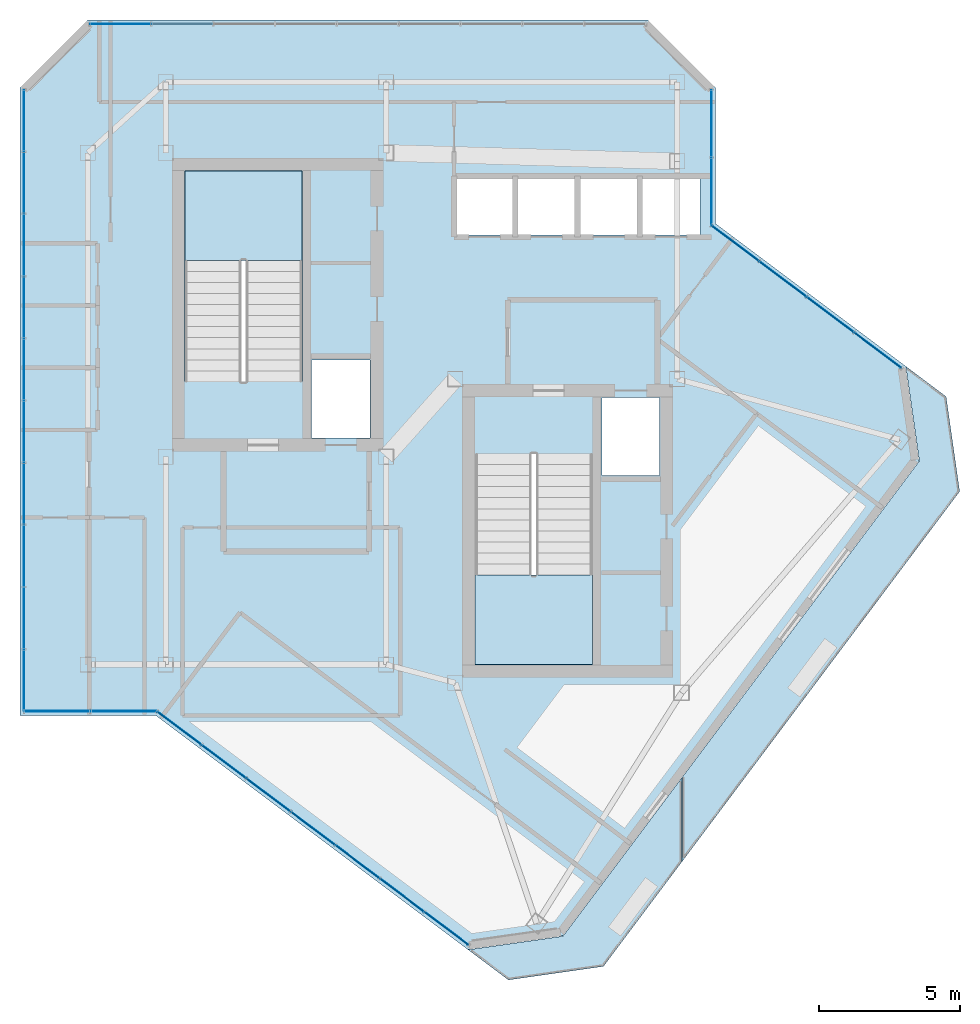
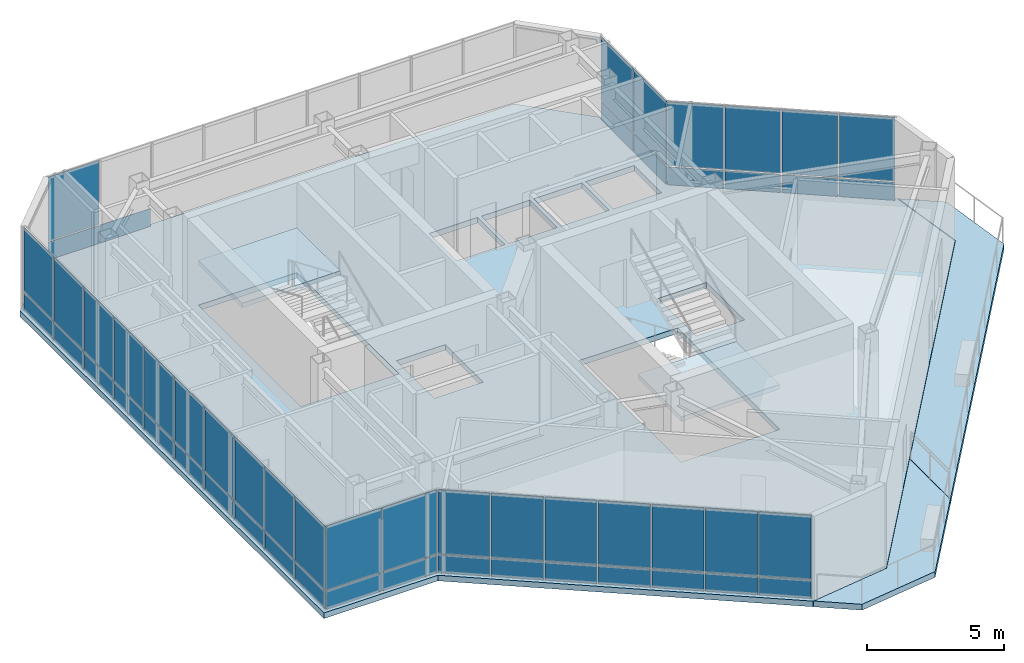
# One storey, part 17 of 23: 53 plates, 5 slabs, 8 elements without a shape of their own.
"""IFC4 building model written with IfcOpenShell, lengths in metres."""

from ifc_helpers import new_model, si_unit, direction, frame, origin, origin_2d, place, context, subcontext, project, spatial, polyline, rectangle, outline, extrude, material, layer, layer_set, type_object, element, aggregate, save


model = new_model("IFC4")

# Units and contexts
model_context = context("Model", 3, precision=1e-05, world=origin(), true_north=direction((0.0, 1.0)))
body_context = subcontext(model_context, "Body", "Model", "MODEL_VIEW")
ifc_project = project(units=[si_unit("LENGTHUNIT", "METRE"), si_unit("AREAUNIT", "SQUARE_METRE"), si_unit("VOLUMEUNIT", "CUBIC_METRE"), si_unit("PLANEANGLEUNIT", "RADIAN"), si_unit("MASSUNIT", "GRAM", prefix="KILO")], contexts=[model_context])

# Site, building, storey
site_placement = place(None, origin())
site = spatial("IfcSite", under=ifc_project, at=site_placement, CompositionType="ELEMENT")
building_placement = place(site_placement, origin())
building = spatial("IfcBuilding", under=site, at=building_placement, Name="Hatsunagi Terrace Concourse", CompositionType="ELEMENT")
storey_placement = place(building_placement, frame((0.0, 0.0, 281.949951171875)))
storey = spatial("IfcBuildingStorey", under=building, at=storey_placement, Name="L74", CompositionType="ELEMENT", Elevation=281.949951171875)

# Curtain wall, plates
ifc_material_1 = material(Name="Anodised Aluminium Alloy 6063-T5", Category="aluminium")
ifc_layer_1 = layer(ifc_material_1, 0.199951171875)
ifc_layer_set_1 = layer_set([ifc_layer_1], Name="CrownWintergarden_CW06")
curtain_wall_type = type_object("IfcCurtainWallType", Name="CrownWintergarden_CW06", PredefinedType="NOTDEFINED", material=ifc_layer_set_1)
curtain_wall_1_placement = place(storey_placement, origin())
curtain_wall_1 = element("IfcCurtainWall", 1, at=curtain_wall_1_placement, inside=storey, type_object=curtain_wall_type, Name="Unitised Curtain Wall CW-06 CW-L74-01", PredefinedType="NOTDEFINED")
ifc_material_2 = material(Name="Warm Terracotta Ceramic Spandrel Panel", Category="masonry")
ifc_layer_2 = layer(ifc_material_2, 0.031982421875)
ifc_layer_set_2 = layer_set([ifc_layer_2], Name="CurtainWallSpandrelPanel_32")
plate_type_1 = type_object("IfcPlateType", Name="CurtainWallSpandrelPanel_32", PredefinedType="SHEET", material=ifc_layer_set_2)
plate_1_placement = place(storey_placement, frame((45.700927734375, 40.09912109375, 0.030029296875), z_axis=(0.0, 0.0, 1.0), x_axis=(0.800028248794, -0.599962333093, 0.0)))
plate_1 = element("IfcPlate", 2, at=plate_1_placement, type_object=plate_type_1, Name="Terracotta Spandrel Panel SPN-01", PredefinedType="SHEET", context=body_context, shape_type="SweptSolid", body=[
    extrude(rectangle(XDim=2.048095703125, YDim=0.031982421875, at=origin_2d()), origin(), (0.0, 0.0, 1.0), 0.7900390625),
])
plate_2_placement = place(storey_placement, frame((47.384033203125, 38.8369140625, 0.030029296875), z_axis=(0.0, 0.0, 1.0), x_axis=(0.800028248794, -0.599962333093, 0.0)))
plate_2 = element("IfcPlate", 3, at=plate_2_placement, type_object=plate_type_1, Name="Terracotta Spandrel Panel SPN-01", PredefinedType="SHEET", context=body_context, shape_type="SweptSolid", body=[
    extrude(rectangle(XDim=2.048095703125, YDim=0.031982421875, at=origin_2d()), origin(), (0.0, 0.0, 1.0), 0.7900390625),
])
plate_3_placement = place(storey_placement, frame((49.06591796875, 37.575927734375, 0.030029296875), z_axis=(0.0, 0.0, 1.0), x_axis=(0.800028248794, -0.599962333093, 0.0)))
plate_3 = element("IfcPlate", 4, at=plate_3_placement, type_object=plate_type_1, Name="Terracotta Spandrel Panel SPN-01", PredefinedType="SHEET", context=body_context, shape_type="SweptSolid", body=[
    extrude(rectangle(XDim=2.048095703125, YDim=0.031982421875, at=origin_2d()), origin(), (0.0, 0.0, 1.0), 0.7900390625),
])
plate_4_placement = place(storey_placement, frame((50.7490234375, 36.31396484375, 0.030029296875), z_axis=(0.0, 0.0, 1.0), x_axis=(0.800028248794, -0.599962333093, 0.0)))
plate_4 = element("IfcPlate", 5, at=plate_4_placement, type_object=plate_type_1, Name="Terracotta Spandrel Panel SPN-01", PredefinedType="SHEET", context=body_context, shape_type="SweptSolid", body=[
    extrude(rectangle(XDim=2.048095703125, YDim=0.031982421875, at=origin_2d()), origin(), (0.0, 0.0, 1.0), 0.7900390625),
])

curtain_wall_2_placement = place(storey_placement, origin())
curtain_wall_2 = element("IfcCurtainWall", 6, at=curtain_wall_2_placement, inside=storey, type_object=curtain_wall_type, Name="Unitised Curtain Wall CW-06 CW-L74-05", PredefinedType="NOTDEFINED")
plate_5_placement = place(storey_placement, frame((35.489990234375, 15.85791015625, 0.030029296875), z_axis=(0.0, 0.0, 1.0), x_axis=(-0.80000835285, 0.599988862705, 0.0)))
plate_5 = element("IfcPlate", 7, at=plate_5_placement, type_object=plate_type_1, Name="Terracotta Spandrel Panel SPN-01", PredefinedType="SHEET", context=body_context, shape_type="SweptSolid", body=[
    extrude(rectangle(XDim=1.9150390625, YDim=0.031982421875, at=origin_2d()), origin(), (0.0, 0.0, 1.0), 0.7900390625),
])
plate_6_placement = place(storey_placement, frame((33.9140625, 17.0400390625, 0.030029296875), z_axis=(0.0, 0.0, 1.0), x_axis=(-0.80000835285, 0.599988862705, 0.0)))
plate_6 = element("IfcPlate", 8, at=plate_6_placement, type_object=plate_type_1, Name="Terracotta Spandrel Panel SPN-01", PredefinedType="SHEET", context=body_context, shape_type="SweptSolid", body=[
    extrude(rectangle(XDim=1.9150390625, YDim=0.031982421875, at=origin_2d()), origin(), (0.0, 0.0, 1.0), 0.7900390625),
])
plate_7_placement = place(storey_placement, frame((32.337890625, 18.221923828125, 0.030029296875), z_axis=(0.0, 0.0, 1.0), x_axis=(-0.80000835285, 0.599988862705, 0.0)))
plate_7 = element("IfcPlate", 9, at=plate_7_placement, type_object=plate_type_1, Name="Terracotta Spandrel Panel SPN-01", PredefinedType="SHEET", context=body_context, shape_type="SweptSolid", body=[
    extrude(rectangle(XDim=1.9150390625, YDim=0.031982421875, at=origin_2d()), origin(), (0.0, 0.0, 1.0), 0.7900390625),
])
plate_8_placement = place(storey_placement, frame((30.761962890625, 19.404052734375, 0.030029296875), z_axis=(0.0, 0.0, 1.0), x_axis=(-0.80000835285, 0.599988862705, 0.0)))
plate_8 = element("IfcPlate", 10, at=plate_8_placement, type_object=plate_type_1, Name="Terracotta Spandrel Panel SPN-01", PredefinedType="SHEET", context=body_context, shape_type="SweptSolid", body=[
    extrude(rectangle(XDim=1.9150390625, YDim=0.031982421875, at=origin_2d()), origin(), (0.0, 0.0, 1.0), 0.7900390625),
])
plate_9_placement = place(storey_placement, frame((29.18701171875, 20.5849609375, 0.030029296875), z_axis=(0.0, 0.0, 1.0), x_axis=(-0.80000835285, 0.599988862705, 0.0)))
plate_9 = element("IfcPlate", 11, at=plate_9_placement, type_object=plate_type_1, Name="Terracotta Spandrel Panel SPN-01", PredefinedType="SHEET", context=body_context, shape_type="SweptSolid", body=[
    extrude(rectangle(XDim=1.9150390625, YDim=0.031982421875, at=origin_2d()), origin(), (0.0, 0.0, 1.0), 0.7900390625),
])
plate_10_placement = place(storey_placement, frame((27.611083984375, 21.76708984375, 0.030029296875), z_axis=(0.0, 0.0, 1.0), x_axis=(-0.80000835285, 0.599988862705, 0.0)))
plate_10 = element("IfcPlate", 12, at=plate_10_placement, type_object=plate_type_1, Name="Terracotta Spandrel Panel SPN-01", PredefinedType="SHEET", context=body_context, shape_type="SweptSolid", body=[
    extrude(rectangle(XDim=1.9150390625, YDim=0.031982421875, at=origin_2d()), origin(), (0.0, 0.0, 1.0), 0.7900390625),
])
plate_11_placement = place(storey_placement, frame((26.034912109375, 22.948974609375, 0.030029296875), z_axis=(0.0, 0.0, 1.0), x_axis=(-0.80000835285, 0.599988862705, 0.0)))
plate_11 = element("IfcPlate", 13, at=plate_11_placement, type_object=plate_type_1, Name="Terracotta Spandrel Panel SPN-01", PredefinedType="SHEET", context=body_context, shape_type="SweptSolid", body=[
    extrude(rectangle(XDim=1.9150390625, YDim=0.031982421875, at=origin_2d()), origin(), (0.0, 0.0, 1.0), 0.7900390625),
])

curtain_wall_3_placement = place(storey_placement, origin())
curtain_wall_3 = element("IfcCurtainWall", 14, at=curtain_wall_3_placement, inside=storey, type_object=curtain_wall_type, Name="Unitised Curtain Wall CW-06 CW-L74-06", PredefinedType="NOTDEFINED")
plate_12_placement = place(storey_placement, frame((24.070068359375, 23.5400390625, 0.030029296875), z_axis=(0.0, 0.0, 1.0), x_axis=(-1.0, 0.0, 0.0)))
plate_12 = element("IfcPlate", 15, at=plate_12_placement, type_object=plate_type_1, Name="Terracotta Spandrel Panel SPN-01", PredefinedType="SHEET", context=body_context, shape_type="SweptSolid", body=[
    extrude(rectangle(XDim=2.299072265625, YDim=0.031982421875, at=origin_2d()), origin(), (0.0, 0.0, 1.0), 0.7900390625),
])
plate_13_placement = place(storey_placement, frame((21.717041015625, 23.5400390625, 0.030029296875), z_axis=(0.0, 0.0, 1.0), x_axis=(-1.0, 0.0, 0.0)))
plate_13 = element("IfcPlate", 16, at=plate_13_placement, type_object=plate_type_1, Name="Terracotta Spandrel Panel SPN-01", PredefinedType="SHEET", context=body_context, shape_type="SweptSolid", body=[
    extrude(rectangle(XDim=2.299072265625, YDim=0.031982421875, at=origin_2d()), origin(), (0.0, 0.0, 1.0), 0.7900390625),
])

curtain_wall_4_placement = place(storey_placement, origin())
curtain_wall_4 = element("IfcCurtainWall", 17, at=curtain_wall_4_placement, inside=storey, type_object=curtain_wall_type, Name="Unitised Curtain Wall CW-06 CW-L74-07", PredefinedType="NOTDEFINED")
plate_14_placement = place(storey_placement, frame((20.5400390625, 24.639892578125, 0.030029296875), z_axis=(0.0, 0.0, 1.0), x_axis=(0.0, 1.0, 0.0)))
plate_14 = element("IfcPlate", 18, at=plate_14_placement, type_object=plate_type_1, Name="Terracotta Spandrel Panel SPN-01", PredefinedType="SHEET", context=body_context, shape_type="SweptSolid", body=[
    extrude(rectangle(XDim=2.14501953125, YDim=0.031982421875, at=origin_2d()), origin(), (0.0, 0.0, 1.0), 0.7900390625),
])
plate_15_placement = place(storey_placement, frame((20.5400390625, 26.840087890625, 0.030029296875), z_axis=(0.0, 0.0, 1.0), x_axis=(0.0, 1.0, 0.0)))
plate_15 = element("IfcPlate", 19, at=plate_15_placement, type_object=plate_type_1, Name="Terracotta Spandrel Panel SPN-01", PredefinedType="SHEET", context=body_context, shape_type="SweptSolid", body=[
    extrude(rectangle(XDim=2.14501953125, YDim=0.031982421875, at=origin_2d()), origin(), (0.0, 0.0, 1.0), 0.7900390625),
])
plate_16_placement = place(storey_placement, frame((20.5400390625, 29.041015625, 0.030029296875), z_axis=(0.0, 0.0, 1.0), x_axis=(0.0, 1.0, 0.0)))
plate_16 = element("IfcPlate", 20, at=plate_16_placement, type_object=plate_type_1, Name="Terracotta Spandrel Panel SPN-01", PredefinedType="SHEET", context=body_context, shape_type="SweptSolid", body=[
    extrude(rectangle(XDim=2.14501953125, YDim=0.031982421875, at=origin_2d()), origin(), (0.0, 0.0, 1.0), 0.7900390625),
])
plate_17_placement = place(storey_placement, frame((20.5400390625, 31.240966796875, 0.030029296875), z_axis=(0.0, 0.0, 1.0), x_axis=(0.0, 1.0, 0.0)))
plate_17 = element("IfcPlate", 21, at=plate_17_placement, type_object=plate_type_1, Name="Terracotta Spandrel Panel SPN-01", PredefinedType="SHEET", context=body_context, shape_type="SweptSolid", body=[
    extrude(rectangle(XDim=2.14501953125, YDim=0.031982421875, at=origin_2d()), origin(), (0.0, 0.0, 1.0), 0.7900390625),
])
plate_18_placement = place(storey_placement, frame((20.5400390625, 33.44091796875, 0.030029296875), z_axis=(0.0, 0.0, 1.0), x_axis=(0.0, 1.0, 0.0)))
plate_18 = element("IfcPlate", 22, at=plate_18_placement, type_object=plate_type_1, Name="Terracotta Spandrel Panel SPN-01", PredefinedType="SHEET", context=body_context, shape_type="SweptSolid", body=[
    extrude(rectangle(XDim=2.14501953125, YDim=0.031982421875, at=origin_2d()), origin(), (0.0, 0.0, 1.0), 0.7900390625),
])
plate_19_placement = place(storey_placement, frame((20.5400390625, 35.64111328125, 0.030029296875), z_axis=(0.0, 0.0, 1.0), x_axis=(0.0, 1.0, 0.0)))
plate_19 = element("IfcPlate", 23, at=plate_19_placement, type_object=plate_type_1, Name="Terracotta Spandrel Panel SPN-01", PredefinedType="SHEET", context=body_context, shape_type="SweptSolid", body=[
    extrude(rectangle(XDim=2.14501953125, YDim=0.031982421875, at=origin_2d()), origin(), (0.0, 0.0, 1.0), 0.7900390625),
])
plate_20_placement = place(storey_placement, frame((20.5400390625, 37.841064453125, 0.030029296875), z_axis=(0.0, 0.0, 1.0), x_axis=(0.0, 1.0, 0.0)))
plate_20 = element("IfcPlate", 24, at=plate_20_placement, type_object=plate_type_1, Name="Terracotta Spandrel Panel SPN-01", PredefinedType="SHEET", context=body_context, shape_type="SweptSolid", body=[
    extrude(rectangle(XDim=2.14501953125, YDim=0.031982421875, at=origin_2d()), origin(), (0.0, 0.0, 1.0), 0.7900390625),
])
plate_21_placement = place(storey_placement, frame((20.5400390625, 40.041015625, 0.030029296875), z_axis=(0.0, 0.0, 1.0), x_axis=(0.0, 1.0, 0.0)))
plate_21 = element("IfcPlate", 25, at=plate_21_placement, type_object=plate_type_1, Name="Terracotta Spandrel Panel SPN-01", PredefinedType="SHEET", context=body_context, shape_type="SweptSolid", body=[
    extrude(rectangle(XDim=2.14501953125, YDim=0.031982421875, at=origin_2d()), origin(), (0.0, 0.0, 1.0), 0.7900390625),
])
plate_22_placement = place(storey_placement, frame((20.5400390625, 42.241943359375, 0.030029296875), z_axis=(0.0, 0.0, 1.0), x_axis=(0.0, 1.0, 0.0)))
plate_22 = element("IfcPlate", 26, at=plate_22_placement, type_object=plate_type_1, Name="Terracotta Spandrel Panel SPN-01", PredefinedType="SHEET", context=body_context, shape_type="SweptSolid", body=[
    extrude(rectangle(XDim=2.14501953125, YDim=0.031982421875, at=origin_2d()), origin(), (0.0, 0.0, 1.0), 0.7900390625),
])
plate_23_placement = place(storey_placement, frame((20.5400390625, 44.44189453125, 0.030029296875), z_axis=(0.0, 0.0, 1.0), x_axis=(0.0, 1.0, 0.0)))
plate_23 = element("IfcPlate", 27, at=plate_23_placement, type_object=plate_type_1, Name="Terracotta Spandrel Panel SPN-01", PredefinedType="SHEET", context=body_context, shape_type="SweptSolid", body=[
    extrude(rectangle(XDim=2.14501953125, YDim=0.031982421875, at=origin_2d()), origin(), (0.0, 0.0, 1.0), 0.7900390625),
])

curtain_wall_5_placement = place(storey_placement, origin())
curtain_wall_5 = element("IfcCurtainWall", 28, at=curtain_wall_5_placement, inside=storey, type_object=curtain_wall_type, Name="Unitised Curtain Wall CW-06 CW-L74-09", PredefinedType="NOTDEFINED")
plate_24_placement = place(storey_placement, frame((23.951904296875, 47.860107421875, 0.030029296875), z_axis=(0.0, 0.0, 1.0), x_axis=(1.0, 0.0, 0.0)))
plate_24 = element("IfcPlate", 29, at=plate_24_placement, type_object=plate_type_1, Name="Terracotta Spandrel Panel SPN-01", PredefinedType="SHEET", context=body_context, shape_type="SweptSolid", body=[
    extrude(rectangle(XDim=2.132080078125, YDim=0.031982421875, at=origin_2d()), origin(), (0.0, 0.0, 1.0), 0.7900390625),
])
plate_25_placement = place(storey_placement, frame((26.138916015625, 47.860107421875, 0.030029296875), z_axis=(0.0, 0.0, 1.0), x_axis=(1.0, 0.0, 0.0)))
plate_25 = element("IfcPlate", 30, at=plate_25_placement, type_object=plate_type_1, Name="Terracotta Spandrel Panel SPN-01", PredefinedType="SHEET", context=body_context, shape_type="SweptSolid", body=[
    extrude(rectangle(XDim=2.132080078125, YDim=0.031982421875, at=origin_2d()), origin(), (0.0, 0.0, 1.0), 0.7900390625),
])

curtain_wall_6_placement = place(storey_placement, origin())
curtain_wall_6 = element("IfcCurtainWall", 31, at=curtain_wall_6_placement, inside=storey, type_object=curtain_wall_type, Name="Unitised Curtain Wall CW-06 CW-L74-11", PredefinedType="NOTDEFINED")
plate_26_placement = place(storey_placement, frame((44.860107421875, 44.339111328125, 0.030029296875), z_axis=(0.0, 0.0, 1.0), x_axis=(0.0, -1.0, 0.0)))
plate_26 = element("IfcPlate", 32, at=plate_26_placement, type_object=plate_type_1, Name="Terracotta Spandrel Panel SPN-01", PredefinedType="SHEET", context=body_context, shape_type="SweptSolid", body=[
    extrude(rectangle(XDim=2.35107421875, YDim=0.031982421875, at=origin_2d()), origin(), (0.0, 0.0, 1.0), 0.7900390625),
])
plate_27_placement = place(storey_placement, frame((44.860107421875, 41.93310546875, 0.030029296875), z_axis=(0.0, 0.0, 1.0), x_axis=(0.0, -1.0, 0.0)))
plate_27 = element("IfcPlate", 33, at=plate_27_placement, type_object=plate_type_1, Name="Terracotta Spandrel Panel SPN-01", PredefinedType="SHEET", context=body_context, shape_type="SweptSolid", body=[
    extrude(rectangle(XDim=2.35107421875, YDim=0.031982421875, at=origin_2d()), origin(), (0.0, 0.0, 1.0), 0.7900390625),
])

# Plate
ifc_material_3 = material(Name="Low-E Double Insulating Glass 28mm", Category="glass")
ifc_layer_3 = layer(ifc_material_3, 0.028076171875)
ifc_layer_set_3 = layer_set([ifc_layer_3], Name="CurtainWallVisionGlass_28")
plate_type_2 = type_object("IfcPlateType", Name="CurtainWallVisionGlass_28", PredefinedType="CURTAIN_PANEL", material=ifc_layer_set_3)
plate_28_placement = place(storey_placement, frame((45.700927734375, 40.09912109375, 0.8798828125), z_axis=(0.0, 0.0, 1.0), x_axis=(0.800028248794, -0.599962333093, 0.0)))
plate_28 = element("IfcPlate", 34, at=plate_28_placement, type_object=plate_type_2, Name="Low-E Vision Glass Panel GLZ-01", PredefinedType="CURTAIN_PANEL", context=body_context, shape_type="SweptSolid", body=[
    extrude(rectangle(XDim=2.048095703125, YDim=0.028076171875, at=origin_2d()), origin(), (0.0, 0.0, 1.0), 2.840087890625),
])

plate_29_placement = place(storey_placement, frame((47.384033203125, 38.8369140625, 0.8798828125), z_axis=(0.0, 0.0, 1.0), x_axis=(0.800028248794, -0.599962333093, 0.0)))
plate_29 = element("IfcPlate", 35, at=plate_29_placement, type_object=plate_type_2, Name="Low-E Vision Glass Panel GLZ-01", PredefinedType="CURTAIN_PANEL", context=body_context, shape_type="SweptSolid", body=[
    extrude(rectangle(XDim=2.048095703125, YDim=0.028076171875, at=origin_2d()), origin(), (0.0, 0.0, 1.0), 2.840087890625),
])

plate_30_placement = place(storey_placement, frame((49.06591796875, 37.575927734375, 0.8798828125), z_axis=(0.0, 0.0, 1.0), x_axis=(0.800028248794, -0.599962333093, 0.0)))
plate_30 = element("IfcPlate", 36, at=plate_30_placement, type_object=plate_type_2, Name="Low-E Vision Glass Panel GLZ-01", PredefinedType="CURTAIN_PANEL", context=body_context, shape_type="SweptSolid", body=[
    extrude(rectangle(XDim=2.048095703125, YDim=0.028076171875, at=origin_2d()), origin(), (0.0, 0.0, 1.0), 2.840087890625),
])

plate_31_placement = place(storey_placement, frame((50.7490234375, 36.31396484375, 0.8798828125), z_axis=(0.0, 0.0, 1.0), x_axis=(0.800028248794, -0.599962333093, 0.0)))
plate_31 = element("IfcPlate", 37, at=plate_31_placement, type_object=plate_type_2, Name="Low-E Vision Glass Panel GLZ-01", PredefinedType="CURTAIN_PANEL", context=body_context, shape_type="SweptSolid", body=[
    extrude(rectangle(XDim=2.048095703125, YDim=0.028076171875, at=origin_2d()), origin(), (0.0, 0.0, 1.0), 2.840087890625),
])

aggregate(curtain_wall_1, [plate_1, plate_28, plate_2, plate_29, plate_3, plate_30, plate_4, plate_31])

plate_32_placement = place(storey_placement, frame((35.489990234375, 15.85791015625, 0.8798828125), z_axis=(0.0, 0.0, 1.0), x_axis=(-0.80000835285, 0.599988862705, 0.0)))
plate_32 = element("IfcPlate", 38, at=plate_32_placement, type_object=plate_type_2, Name="Low-E Vision Glass Panel GLZ-01", PredefinedType="CURTAIN_PANEL", context=body_context, shape_type="SweptSolid", body=[
    extrude(rectangle(XDim=1.9150390625, YDim=0.028076171875, at=origin_2d()), origin(), (0.0, 0.0, 1.0), 2.840087890625),
])

plate_33_placement = place(storey_placement, frame((33.9140625, 17.0400390625, 0.8798828125), z_axis=(0.0, 0.0, 1.0), x_axis=(-0.80000835285, 0.599988862705, 0.0)))
plate_33 = element("IfcPlate", 39, at=plate_33_placement, type_object=plate_type_2, Name="Low-E Vision Glass Panel GLZ-01", PredefinedType="CURTAIN_PANEL", context=body_context, shape_type="SweptSolid", body=[
    extrude(rectangle(XDim=1.9150390625, YDim=0.028076171875, at=origin_2d()), origin(), (0.0, 0.0, 1.0), 2.840087890625),
])

plate_34_placement = place(storey_placement, frame((32.337890625, 18.221923828125, 0.8798828125), z_axis=(0.0, 0.0, 1.0), x_axis=(-0.80000835285, 0.599988862705, 0.0)))
plate_34 = element("IfcPlate", 40, at=plate_34_placement, type_object=plate_type_2, Name="Low-E Vision Glass Panel GLZ-01", PredefinedType="CURTAIN_PANEL", context=body_context, shape_type="SweptSolid", body=[
    extrude(rectangle(XDim=1.9150390625, YDim=0.028076171875, at=origin_2d()), origin(), (0.0, 0.0, 1.0), 2.840087890625),
])

plate_35_placement = place(storey_placement, frame((30.761962890625, 19.404052734375, 0.8798828125), z_axis=(0.0, 0.0, 1.0), x_axis=(-0.80000835285, 0.599988862705, 0.0)))
plate_35 = element("IfcPlate", 41, at=plate_35_placement, type_object=plate_type_2, Name="Low-E Vision Glass Panel GLZ-01", PredefinedType="CURTAIN_PANEL", context=body_context, shape_type="SweptSolid", body=[
    extrude(rectangle(XDim=1.9150390625, YDim=0.028076171875, at=origin_2d()), origin(), (0.0, 0.0, 1.0), 2.840087890625),
])

plate_36_placement = place(storey_placement, frame((29.18701171875, 20.5849609375, 0.8798828125), z_axis=(0.0, 0.0, 1.0), x_axis=(-0.80000835285, 0.599988862705, 0.0)))
plate_36 = element("IfcPlate", 42, at=plate_36_placement, type_object=plate_type_2, Name="Low-E Vision Glass Panel GLZ-01", PredefinedType="CURTAIN_PANEL", context=body_context, shape_type="SweptSolid", body=[
    extrude(rectangle(XDim=1.9150390625, YDim=0.028076171875, at=origin_2d()), origin(), (0.0, 0.0, 1.0), 2.840087890625),
])

plate_37_placement = place(storey_placement, frame((27.611083984375, 21.76708984375, 0.8798828125), z_axis=(0.0, 0.0, 1.0), x_axis=(-0.80000835285, 0.599988862705, 0.0)))
plate_37 = element("IfcPlate", 43, at=plate_37_placement, type_object=plate_type_2, Name="Low-E Vision Glass Panel GLZ-01", PredefinedType="CURTAIN_PANEL", context=body_context, shape_type="SweptSolid", body=[
    extrude(rectangle(XDim=1.9150390625, YDim=0.028076171875, at=origin_2d()), origin(), (0.0, 0.0, 1.0), 2.840087890625),
])

plate_38_placement = place(storey_placement, frame((26.034912109375, 22.948974609375, 0.8798828125), z_axis=(0.0, 0.0, 1.0), x_axis=(-0.80000835285, 0.599988862705, 0.0)))
plate_38 = element("IfcPlate", 44, at=plate_38_placement, type_object=plate_type_2, Name="Low-E Vision Glass Panel GLZ-01", PredefinedType="CURTAIN_PANEL", context=body_context, shape_type="SweptSolid", body=[
    extrude(rectangle(XDim=1.9150390625, YDim=0.028076171875, at=origin_2d()), origin(), (0.0, 0.0, 1.0), 2.840087890625),
])

aggregate(curtain_wall_2, [plate_5, plate_32, plate_6, plate_33, plate_7, plate_34, plate_8, plate_35, plate_9, plate_36, plate_10, plate_37, plate_11, plate_38])

plate_39_placement = place(storey_placement, frame((24.070068359375, 23.5400390625, 0.8798828125), z_axis=(0.0, 0.0, 1.0), x_axis=(-1.0, 0.0, 0.0)))
plate_39 = element("IfcPlate", 45, at=plate_39_placement, type_object=plate_type_2, Name="Low-E Vision Glass Panel GLZ-01", PredefinedType="CURTAIN_PANEL", context=body_context, shape_type="SweptSolid", body=[
    extrude(rectangle(XDim=2.299072265625, YDim=0.028076171875, at=origin_2d()), origin(), (0.0, 0.0, 1.0), 2.840087890625),
])

plate_40_placement = place(storey_placement, frame((21.717041015625, 23.5400390625, 0.8798828125), z_axis=(0.0, 0.0, 1.0), x_axis=(-1.0, 0.0, 0.0)))
plate_40 = element("IfcPlate", 46, at=plate_40_placement, type_object=plate_type_2, Name="Low-E Vision Glass Panel GLZ-01", PredefinedType="CURTAIN_PANEL", context=body_context, shape_type="SweptSolid", body=[
    extrude(rectangle(XDim=2.299072265625, YDim=0.028076171875, at=origin_2d()), origin(), (0.0, 0.0, 1.0), 2.840087890625),
])

aggregate(curtain_wall_3, [plate_12, plate_39, plate_13, plate_40])

plate_41_placement = place(storey_placement, frame((20.5400390625, 24.639892578125, 0.8798828125), z_axis=(0.0, 0.0, 1.0), x_axis=(0.0, 1.0, 0.0)))
plate_41 = element("IfcPlate", 47, at=plate_41_placement, type_object=plate_type_2, Name="Low-E Vision Glass Panel GLZ-01", PredefinedType="CURTAIN_PANEL", context=body_context, shape_type="SweptSolid", body=[
    extrude(rectangle(XDim=2.14501953125, YDim=0.028076171875, at=origin_2d()), origin(), (0.0, 0.0, 1.0), 2.840087890625),
])

plate_42_placement = place(storey_placement, frame((20.5400390625, 26.840087890625, 0.8798828125), z_axis=(0.0, 0.0, 1.0), x_axis=(0.0, 1.0, 0.0)))
plate_42 = element("IfcPlate", 48, at=plate_42_placement, type_object=plate_type_2, Name="Low-E Vision Glass Panel GLZ-01", PredefinedType="CURTAIN_PANEL", context=body_context, shape_type="SweptSolid", body=[
    extrude(rectangle(XDim=2.14501953125, YDim=0.028076171875, at=origin_2d()), origin(), (0.0, 0.0, 1.0), 2.840087890625),
])

plate_43_placement = place(storey_placement, frame((20.5400390625, 29.041015625, 0.8798828125), z_axis=(0.0, 0.0, 1.0), x_axis=(0.0, 1.0, 0.0)))
plate_43 = element("IfcPlate", 49, at=plate_43_placement, type_object=plate_type_2, Name="Low-E Vision Glass Panel GLZ-01", PredefinedType="CURTAIN_PANEL", context=body_context, shape_type="SweptSolid", body=[
    extrude(rectangle(XDim=2.14501953125, YDim=0.028076171875, at=origin_2d()), origin(), (0.0, 0.0, 1.0), 2.840087890625),
])

plate_44_placement = place(storey_placement, frame((20.5400390625, 31.240966796875, 0.8798828125), z_axis=(0.0, 0.0, 1.0), x_axis=(0.0, 1.0, 0.0)))
plate_44 = element("IfcPlate", 50, at=plate_44_placement, type_object=plate_type_2, Name="Low-E Vision Glass Panel GLZ-01", PredefinedType="CURTAIN_PANEL", context=body_context, shape_type="SweptSolid", body=[
    extrude(rectangle(XDim=2.14501953125, YDim=0.028076171875, at=origin_2d()), origin(), (0.0, 0.0, 1.0), 2.840087890625),
])

plate_45_placement = place(storey_placement, frame((20.5400390625, 33.44091796875, 0.8798828125), z_axis=(0.0, 0.0, 1.0), x_axis=(0.0, 1.0, 0.0)))
plate_45 = element("IfcPlate", 51, at=plate_45_placement, type_object=plate_type_2, Name="Low-E Vision Glass Panel GLZ-01", PredefinedType="CURTAIN_PANEL", context=body_context, shape_type="SweptSolid", body=[
    extrude(rectangle(XDim=2.14501953125, YDim=0.028076171875, at=origin_2d()), origin(), (0.0, 0.0, 1.0), 2.840087890625),
])

plate_46_placement = place(storey_placement, frame((20.5400390625, 35.64111328125, 0.8798828125), z_axis=(0.0, 0.0, 1.0), x_axis=(0.0, 1.0, 0.0)))
plate_46 = element("IfcPlate", 52, at=plate_46_placement, type_object=plate_type_2, Name="Low-E Vision Glass Panel GLZ-01", PredefinedType="CURTAIN_PANEL", context=body_context, shape_type="SweptSolid", body=[
    extrude(rectangle(XDim=2.14501953125, YDim=0.028076171875, at=origin_2d()), origin(), (0.0, 0.0, 1.0), 2.840087890625),
])

plate_47_placement = place(storey_placement, frame((20.5400390625, 37.841064453125, 0.8798828125), z_axis=(0.0, 0.0, 1.0), x_axis=(0.0, 1.0, 0.0)))
plate_47 = element("IfcPlate", 53, at=plate_47_placement, type_object=plate_type_2, Name="Low-E Vision Glass Panel GLZ-01", PredefinedType="CURTAIN_PANEL", context=body_context, shape_type="SweptSolid", body=[
    extrude(rectangle(XDim=2.14501953125, YDim=0.028076171875, at=origin_2d()), origin(), (0.0, 0.0, 1.0), 2.840087890625),
])

plate_48_placement = place(storey_placement, frame((20.5400390625, 40.041015625, 0.8798828125), z_axis=(0.0, 0.0, 1.0), x_axis=(0.0, 1.0, 0.0)))
plate_48 = element("IfcPlate", 54, at=plate_48_placement, type_object=plate_type_2, Name="Low-E Vision Glass Panel GLZ-01", PredefinedType="CURTAIN_PANEL", context=body_context, shape_type="SweptSolid", body=[
    extrude(rectangle(XDim=2.14501953125, YDim=0.028076171875, at=origin_2d()), origin(), (0.0, 0.0, 1.0), 2.840087890625),
])

plate_49_placement = place(storey_placement, frame((20.5400390625, 42.241943359375, 0.8798828125), z_axis=(0.0, 0.0, 1.0), x_axis=(0.0, 1.0, 0.0)))
plate_49 = element("IfcPlate", 55, at=plate_49_placement, type_object=plate_type_2, Name="Low-E Vision Glass Panel GLZ-01", PredefinedType="CURTAIN_PANEL", context=body_context, shape_type="SweptSolid", body=[
    extrude(rectangle(XDim=2.14501953125, YDim=0.028076171875, at=origin_2d()), origin(), (0.0, 0.0, 1.0), 2.840087890625),
])

plate_50_placement = place(storey_placement, frame((20.5400390625, 44.44189453125, 0.8798828125), z_axis=(0.0, 0.0, 1.0), x_axis=(0.0, 1.0, 0.0)))
plate_50 = element("IfcPlate", 56, at=plate_50_placement, type_object=plate_type_2, Name="Low-E Vision Glass Panel GLZ-01", PredefinedType="CURTAIN_PANEL", context=body_context, shape_type="SweptSolid", body=[
    extrude(rectangle(XDim=2.14501953125, YDim=0.028076171875, at=origin_2d()), origin(), (0.0, 0.0, 1.0), 2.840087890625),
])

aggregate(curtain_wall_4, [plate_14, plate_41, plate_15, plate_42, plate_16, plate_43, plate_17, plate_44, plate_18, plate_45, plate_19, plate_46, plate_20, plate_47, plate_21, plate_48, plate_22, plate_49, plate_23, plate_50])

plate_51_placement = place(storey_placement, frame((23.951904296875, 47.860107421875, 0.8798828125), z_axis=(0.0, 0.0, 1.0), x_axis=(1.0, 0.0, 0.0)))
plate_51 = element("IfcPlate", 57, at=plate_51_placement, type_object=plate_type_2, Name="Low-E Vision Glass Panel GLZ-01", PredefinedType="CURTAIN_PANEL", context=body_context, shape_type="SweptSolid", body=[
    extrude(rectangle(XDim=2.132080078125, YDim=0.028076171875, at=origin_2d()), origin(), (0.0, 0.0, 1.0), 2.840087890625),
])

aggregate(curtain_wall_5, [plate_24, plate_51, plate_25])

plate_52_placement = place(storey_placement, frame((44.860107421875, 44.339111328125, 0.8798828125), z_axis=(0.0, 0.0, 1.0), x_axis=(0.0, -1.0, 0.0)))
plate_52 = element("IfcPlate", 58, at=plate_52_placement, type_object=plate_type_2, Name="Low-E Vision Glass Panel GLZ-01", PredefinedType="CURTAIN_PANEL", context=body_context, shape_type="SweptSolid", body=[
    extrude(rectangle(XDim=2.35107421875, YDim=0.028076171875, at=origin_2d()), origin(), (0.0, 0.0, 1.0), 2.840087890625),
])

plate_53_placement = place(storey_placement, frame((44.860107421875, 41.93310546875, 0.8798828125), z_axis=(0.0, 0.0, 1.0), x_axis=(0.0, -1.0, 0.0)))
plate_53 = element("IfcPlate", 59, at=plate_53_placement, type_object=plate_type_2, Name="Low-E Vision Glass Panel GLZ-01", PredefinedType="CURTAIN_PANEL", context=body_context, shape_type="SweptSolid", body=[
    extrude(rectangle(XDim=2.35107421875, YDim=0.028076171875, at=origin_2d()), origin(), (0.0, 0.0, 1.0), 2.840087890625),
])

aggregate(curtain_wall_6, [plate_26, plate_52, plate_27, plate_53])

# Stair, slab
ifc_material_4 = material(Name="Concrete Fc42", Category="concrete")
stair_type = type_object("IfcStairType", Name="DoglegExitStair_Tower2000_24R_167", PredefinedType="HALF_TURN_STAIR", material=ifc_material_4)
stair_1_placement = place(storey_placement, origin())
stair_1 = element("IfcStair", 60, at=stair_1_placement, inside=storey, type_object=stair_type, Name="L74 Core A Protected Exit Stair ST-A", PredefinedType="HALF_TURN_STAIR")
ifc_material_5 = material(Name="Concrete Fc42", Category="concrete")
ifc_layer_4 = layer(ifc_material_5, 0.199951171875)
ifc_layer_set_4 = layer_set([ifc_layer_4], Name="DoglegStairLanding_Tower2000")
slab_type_1 = type_object("IfcSlabType", Name="DoglegStairLanding_Tower2000", PredefinedType="LANDING", material=ifc_layer_set_4)
slab_1_placement = place(storey_placement, frame((0.0, 0.0, 1.800048828125)))
slab_1 = element("IfcSlab", 61, at=slab_1_placement, type_object=slab_type_1, Name="ST-A landing 1", PredefinedType="LANDING", context=body_context, shape_type="SweptSolid", body=[
    extrude(outline(polyline([(30.3798828125, 39.489990234375), (30.3798828125, 42.659912109375), (26.22998046875, 42.659912109375), (26.22998046875, 39.489990234375), (30.3798828125, 39.489990234375)])), origin(), (0.0, 0.0, 1.0), 0.199951171875),
])
aggregate(stair_1, [slab_1])

stair_2_placement = place(storey_placement, origin())
stair_2 = element("IfcStair", 62, at=stair_2_placement, inside=storey, type_object=stair_type, Name="L74 Core B Protected Exit Stair ST-B", PredefinedType="HALF_TURN_STAIR")
slab_2_placement = place(storey_placement, frame((0.0, 0.0, 1.800048828125)))
slab_2 = element("IfcSlab", 63, at=slab_2_placement, type_object=slab_type_1, Name="ST-B landing 1", PredefinedType="LANDING", context=body_context, shape_type="SweptSolid", body=[
    extrude(outline(polyline([(36.5, 28.3701171875), (36.5, 25.199951171875), (40.64990234375, 25.199951171875), (40.64990234375, 28.3701171875), (36.5, 28.3701171875)])), origin(), (0.0, 0.0, 1.0), 0.199951171875),
])
aggregate(stair_2, [slab_2])

# Slabs
ifc_material_6 = material(Name="Concrete Fc42", Category="concrete")
ifc_layer_5 = layer(ifc_material_6, 0.25)
ifc_layer_set_5 = layer_set([ifc_layer_5], Name="OfficeCrownSlab_Fc42_250")
slab_type_2 = type_object("IfcSlabType", Name="OfficeCrownSlab_Fc42_250", PredefinedType="FLOOR", material=ifc_layer_set_5)
slab_3_placement = place(storey_placement, frame((0.0, 0.0, -0.25)))
element("IfcSlab", 64, at=slab_3_placement, inside=storey, type_object=slab_type_2, Name="Floor Slab SL-250 L74", PredefinedType="FLOOR", context=body_context, shape_type="SweptSolid", body=[
    extrude(outline(polyline([(45.0, 40.800048828125), (45.0, 45.60009765625), (42.60009765625, 48.0), (22.800048828125, 48.0), (20.39990234375, 45.60009765625), (20.39990234375, 23.39990234375), (25.199951171875, 23.39990234375), (36.239990234375, 15.1201171875), (39.60009765625, 15.60009765625), (52.199951171875, 32.39990234375), (51.719970703125, 35.760009765625), (45.0, 40.800048828125)]), holes=[polyline([(26.22998046875, 35.205078125), (30.3798828125, 35.205078125), (30.3798828125, 42.659912109375), (26.22998046875, 42.659912109375), (26.22998046875, 35.205078125)]), polyline([(36.5, 25.199951171875), (40.64990234375, 25.199951171875), (40.64990234375, 32.655029296875), (36.5, 32.655029296875), (36.5, 25.199951171875)]), polyline([(30.719970703125, 33.219970703125), (32.780029296875, 33.219970703125), (32.780029296875, 35.97998046875), (30.719970703125, 35.97998046875), (30.719970703125, 33.219970703125)]), polyline([(40.97998046875, 31.8798828125), (43.02001953125, 31.8798828125), (43.02001953125, 34.639892578125), (40.97998046875, 34.639892578125), (40.97998046875, 31.8798828125)]), polyline([(35.800048828125, 40.39990234375), (37.85009765625, 40.39990234375), (37.85009765625, 42.39990234375), (35.800048828125, 42.39990234375), (35.800048828125, 40.39990234375)]), polyline([(38.0, 40.39990234375), (40.050048828125, 40.39990234375), (40.050048828125, 42.39990234375), (38.0, 42.39990234375), (38.0, 40.39990234375)]), polyline([(40.199951171875, 40.39990234375), (42.25, 40.39990234375), (42.25, 42.39990234375), (40.199951171875, 42.39990234375), (40.199951171875, 40.39990234375)]), polyline([(42.39990234375, 40.39990234375), (44.449951171875, 40.39990234375), (44.449951171875, 42.39990234375), (42.39990234375, 42.39990234375), (42.39990234375, 40.39990234375)])]), origin(), (0.0, 0.0, 1.0), 0.25),
])
ifc_material_7 = material(Name="Concrete Fc42", Category="concrete")
ifc_layer_6 = layer(ifc_material_7, 0.260009765625)
ifc_layer_set_6 = layer_set([ifc_layer_6], Name="SkyGardenTerraceSlab_Fc42_260")
slab_type_3 = type_object("IfcSlabType", Name="SkyGardenTerraceSlab_Fc42_260", PredefinedType="ROOF", material=ifc_layer_set_6)
slab_4_placement = place(storey_placement, frame((0.0, 0.0, -0.25)))
element("IfcSlab", 65, at=slab_4_placement, inside=storey, type_object=slab_type_3, Name="Crown Step Terrace TER-L74-1", PredefinedType="ROOF", context=body_context, shape_type="SweptSolid", body=[
    extrude(outline(polyline([(41.0400390625, 14.52001953125), (43.81494140625, 18.219970703125), (43.81494140625, 21.199951171875), (39.60693359375, 15.589111328125), (36.25390625, 15.110107421875), (37.679931640625, 14.0400390625), (41.0400390625, 14.52001953125)])), origin(), (0.0, 0.0, 1.0), 0.260009765625),
])
slab_5_placement = place(storey_placement, frame((0.0, 0.0, -0.25)))
element("IfcSlab", 66, at=slab_5_placement, inside=storey, type_object=slab_type_3, Name="Crown Step Terrace TER-L74-2", PredefinedType="ROOF", context=body_context, shape_type="SweptSolid", body=[
    extrude(outline(polyline([(53.639892578125, 31.320068359375), (53.159912109375, 34.679931640625), (51.73388671875, 35.75), (52.212890625, 32.39697265625), (43.824951171875, 21.212890625), (43.824951171875, 18.23291015625), (53.639892578125, 31.320068359375)])), origin(), (0.0, 0.0, 1.0), 0.260009765625),
])

save(model, "model.ifc")
